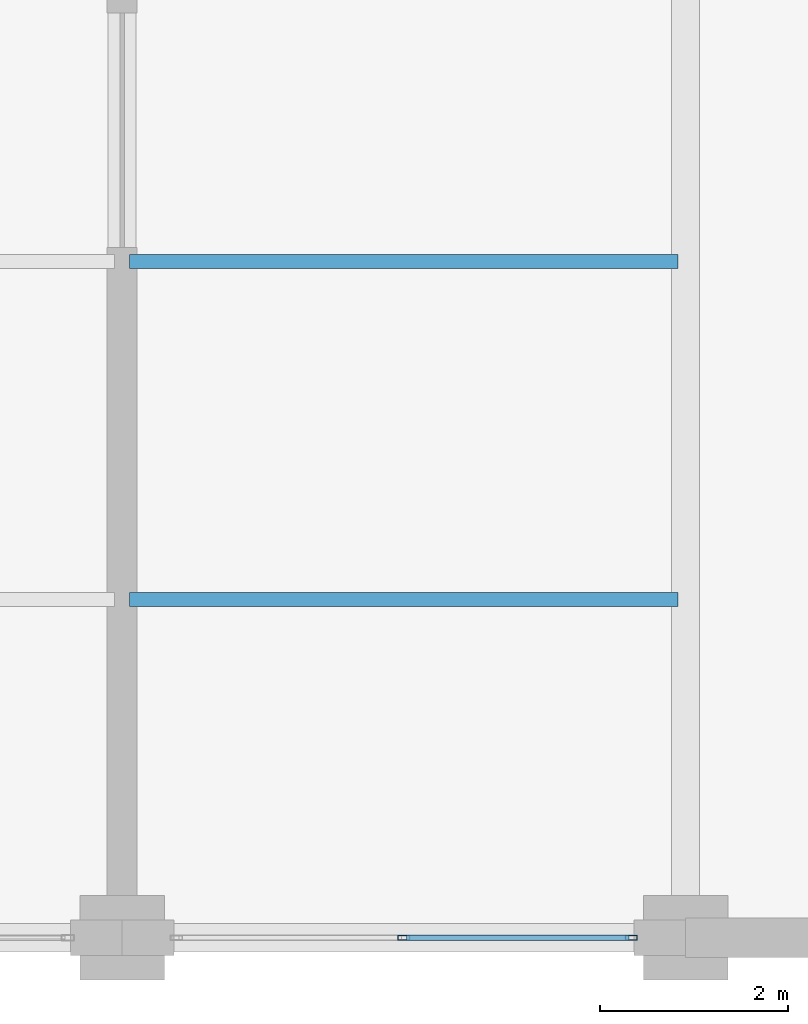
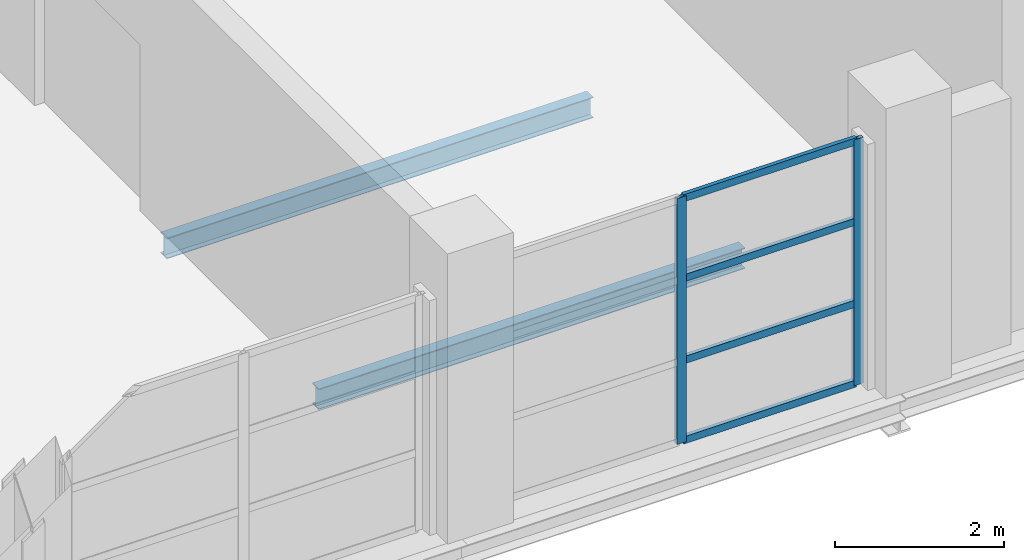
# One storey, part 42 of 158: 6 members, 2 beams, 1 element without a shape of its own.
"""IFC4 building model written with IfcOpenShell, lengths in metres."""

from ifc_helpers import new_model, si_unit, direction, frame, origin, origin_2d, place, context, subcontext, project, spatial, hollow_rectangle, i_section, extrude, material, layer, layer_set, material_profile, profile_set, type_object, element, aggregate, save


model = new_model("IFC4")

# Units and contexts
model_context = context("Model", 3, precision=1e-05, world=origin(), true_north=direction((0.0, 1.0)))
body_context = subcontext(model_context, "Body", "Model", "MODEL_VIEW")
ifc_project = project(units=[si_unit("LENGTHUNIT", "METRE"), si_unit("AREAUNIT", "SQUARE_METRE"), si_unit("VOLUMEUNIT", "CUBIC_METRE"), si_unit("PLANEANGLEUNIT", "RADIAN"), si_unit("MASSUNIT", "GRAM", prefix="KILO")], contexts=[model_context])

# Site, building, storey
site_placement = place(None, origin())
site = spatial("IfcSite", under=ifc_project, at=site_placement, CompositionType="ELEMENT")
building_placement = place(site_placement, origin())
building = spatial("IfcBuilding", under=site, at=building_placement, Name="Zilviju Railside Exhibition Hall", CompositionType="ELEMENT")
storey_placement = place(building_placement, frame((0.0, 0.0, 4.199951171875)))
storey = spatial("IfcBuildingStorey", under=building, at=storey_placement, Name="L02", CompositionType="ELEMENT", Elevation=4.199951171875)

# Beams
ifc_material_1 = material(Name="Steel S355J2", Category="steel")
ifc_material_profile_1 = material_profile(ifc_material_1, i_section(OverallWidth=0.14990234375, OverallDepth=0.300048828125, WebThickness=0.007080078125, FlangeThickness=0.0107421875, at=origin_2d()), Name="IPE 300")
ifc_profile_set_1 = profile_set([ifc_material_profile_1], Name="Steel S355J2")
beam_type = type_object("IfcBeamType", Name="BM-IPE300", PredefinedType="JOIST", material=ifc_profile_set_1)
for number, where, z_axis, x_axis, name in (
    (1, (78.080078125, 3.60009765625, -0.5), (1.0, 0.0, 0.0), (0.0, 1.0, 0.0), "Composite Floor Joist L02 Y=3.60 (78.0..84.0)"),
    (2, (78.080078125, 7.199951171875, -0.5), (1.0, 0.0, 0.0), (0.0, 1.0, 0.0), "Composite Floor Joist L02 Y=7.20 (78.0..84.0)"),
):
    element("IfcBeam", number, at=place(storey_placement, frame(where, z_axis=z_axis, x_axis=x_axis)), inside=storey, type_object=beam_type, Name=name, PredefinedType="JOIST", context=body_context, shape_type="SweptSolid", body=[
        extrude(i_section(OverallWidth=0.14990234375, OverallDepth=0.300048828125, WebThickness=0.007080078125, FlangeThickness=0.0107421875, at=origin_2d()), origin(), (0.0, 0.0, 1.0), 5.83984375),
    ])

# Curtain wall, members
ifc_material_2 = material(Name="Thermally broken aluminium-steel triple-glazed curtain wall", Category="steel")
ifc_layer = layer(ifc_material_2, 0.179931640625)
ifc_layer_set = layer_set([ifc_layer], Name="Thermally broken aluminium-steel triple-glazed curtain wall")
curtain_wall_type = type_object("IfcCurtainWallType", Name="CW-BAY-06", PredefinedType="USERDEFINED", material=ifc_layer_set)
curtain_wall_placement = place(storey_placement, origin())
curtain_wall = element("IfcCurtainWall", 3, at=curtain_wall_placement, inside=storey, type_object=curtain_wall_type, Name="South Hall Facade Curtain Wall L02 (78..84)", ObjectType="GLAZED CURTAIN WALL", PredefinedType="USERDEFINED")
ifc_material_3 = material(Name="Thermally broken anodized aluminium mullion", Category="aluminium")
ifc_material_profile_2 = material_profile(ifc_material_3, hollow_rectangle(XDim=0.054931640625, YDim=0.1298828125, WallThickness=0.0048828125, at=origin_2d()), Name="MULLION 130x55x5")
ifc_profile_set_2 = profile_set([ifc_material_profile_2], Name="Thermally broken anodized aluminium mullion")
member_type_1 = type_object("IfcMemberType", Name="CWM-55x130", PredefinedType="MULLION", material=ifc_profile_set_2)
member_1_placement = place(storey_placement, frame((83.422607421875, 0.0, 0.0), z_axis=(0.0, 0.0, 1.0), x_axis=(0.0, -1.0, 0.0)))
member_1 = element("IfcMember", 4, at=member_1_placement, type_object=member_type_1, Name="CW-06 mullion 1", PredefinedType="MULLION", context=body_context, shape_type="SweptSolid", body=[
    extrude(hollow_rectangle(XDim=0.054931640625, YDim=0.1298828125, WallThickness=0.0048828125, at=origin_2d()), origin(), (0.0, 0.0, 1.0), 3.56005859375),
])
member_2_placement = place(storey_placement, frame((81.0, 0.0, 0.0), z_axis=(0.0, 0.0, 1.0), x_axis=(0.0, -1.0, 0.0)))
member_2 = element("IfcMember", 5, at=member_2_placement, type_object=member_type_1, Name="CW-06 mullion 2", PredefinedType="MULLION", context=body_context, shape_type="SweptSolid", body=[
    extrude(hollow_rectangle(XDim=0.054931640625, YDim=0.1298828125, WallThickness=0.0048828125, at=origin_2d()), origin(), (0.0, 0.0, 1.0), 3.56005859375),
])
ifc_material_4 = material(Name="Thermally broken anodized aluminium transom", Category="aluminium")
ifc_material_profile_3 = material_profile(ifc_material_4, hollow_rectangle(XDim=0.054931640625, YDim=0.10498046875, WallThickness=0.0048828125, at=origin_2d()), Name="TRANSOM 105x55x5")
ifc_profile_set_3 = profile_set([ifc_material_profile_3], Name="Thermally broken anodized aluminium transom")
member_type_2 = type_object("IfcMemberType", Name="CWT-55x105", PredefinedType="USERDEFINED", material=ifc_profile_set_3)
member_3_placement = place(storey_placement, frame((83.39501953125, 0.0, 0.027587890625), z_axis=(-1.0, 0.0, 0.0), x_axis=(0.0, -1.0, 0.0)))
member_3 = element("IfcMember", 6, at=member_3_placement, type_object=member_type_2, Name="CW-06 transom 1.1", ObjectType="TRANSOM", PredefinedType="USERDEFINED", context=body_context, shape_type="SweptSolid", body=[
    extrude(hollow_rectangle(XDim=0.054931640625, YDim=0.10498046875, WallThickness=0.0048828125, at=origin_2d()), origin(), (0.0, 0.0, 1.0), 2.367431640625),
])
member_4_placement = place(storey_placement, frame((83.39501953125, 0.0, 1.18701171875), z_axis=(-1.0, 0.0, 0.0), x_axis=(0.0, -1.0, 0.0)))
member_4 = element("IfcMember", 7, at=member_4_placement, type_object=member_type_2, Name="CW-06 transom 1.2", ObjectType="TRANSOM", PredefinedType="USERDEFINED", context=body_context, shape_type="SweptSolid", body=[
    extrude(hollow_rectangle(XDim=0.054931640625, YDim=0.10498046875, WallThickness=0.0048828125, at=origin_2d()), origin(), (0.0, 0.0, 1.0), 2.367431640625),
])
member_5_placement = place(storey_placement, frame((83.39501953125, 0.0, 2.373046875), z_axis=(-1.0, 0.0, 0.0), x_axis=(0.0, -1.0, 0.0)))
member_5 = element("IfcMember", 8, at=member_5_placement, type_object=member_type_2, Name="CW-06 transom 1.3", ObjectType="TRANSOM", PredefinedType="USERDEFINED", context=body_context, shape_type="SweptSolid", body=[
    extrude(hollow_rectangle(XDim=0.054931640625, YDim=0.10498046875, WallThickness=0.0048828125, at=origin_2d()), origin(), (0.0, 0.0, 1.0), 2.367431640625),
])
member_6_placement = place(storey_placement, frame((83.39501953125, 0.0, 3.532470703125), z_axis=(-1.0, 0.0, 0.0), x_axis=(0.0, -1.0, 0.0)))
member_6 = element("IfcMember", 9, at=member_6_placement, type_object=member_type_2, Name="CW-06 transom 1.4", ObjectType="TRANSOM", PredefinedType="USERDEFINED", context=body_context, shape_type="SweptSolid", body=[
    extrude(hollow_rectangle(XDim=0.054931640625, YDim=0.10498046875, WallThickness=0.0048828125, at=origin_2d()), origin(), (0.0, 0.0, 1.0), 2.367431640625),
])
aggregate(curtain_wall, [member_1, member_2, member_3, member_4, member_5, member_6])

save(model, "model.ifc")
